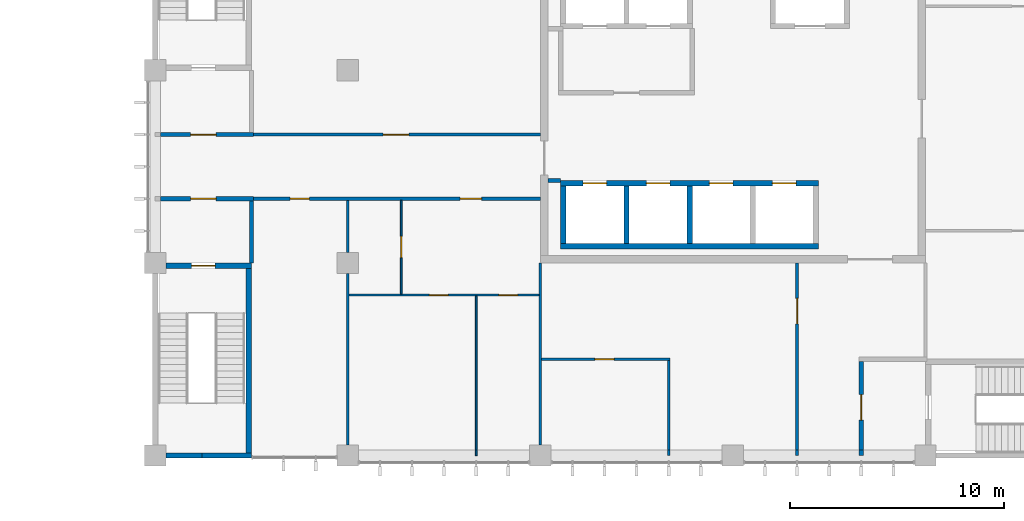
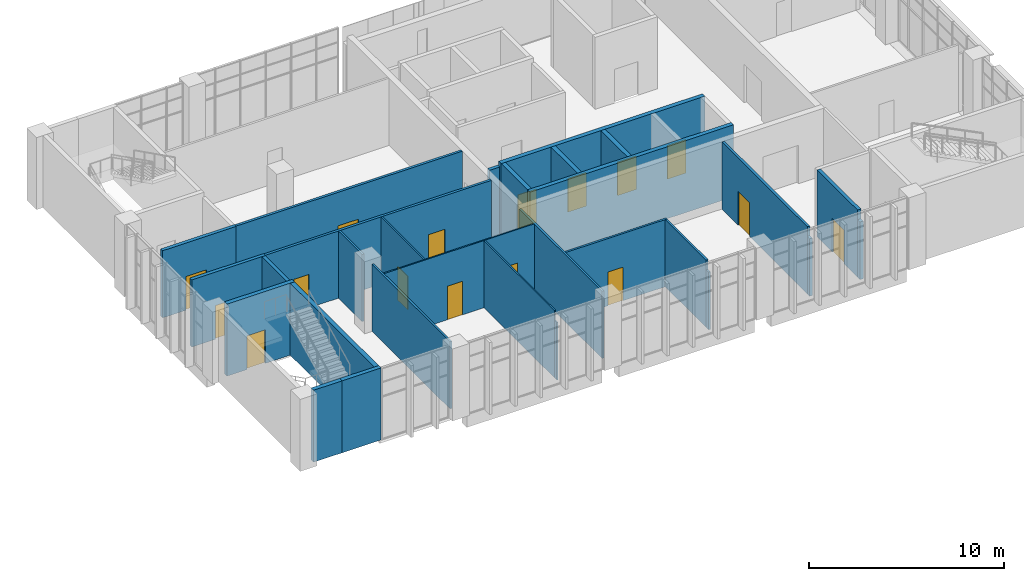
# One storey, part 64 of 88: 29 walls, 16 doors, 16 openings.
"""IFC4 building model written with IfcOpenShell, lengths in metres."""

from ifc_helpers import new_model, si_unit, direction, frame, frame_2d, origin, place, context, subcontext, project, spatial, rectangle, extrude, material, layer, layer_set, type_object, element, fill, save


model = new_model("IFC4")

# Units and contexts
model_context = context("Model", 3, precision=1e-05, world=origin(), true_north=direction((0.0, 1.0)))
body_context = subcontext(model_context, "Body", "Model", "MODEL_VIEW")
ifc_project = project(units=[si_unit("LENGTHUNIT", "METRE"), si_unit("AREAUNIT", "SQUARE_METRE"), si_unit("VOLUMEUNIT", "CUBIC_METRE"), si_unit("PLANEANGLEUNIT", "RADIAN"), si_unit("MASSUNIT", "GRAM", prefix="KILO")], contexts=[model_context])

# Site, building, storey
site_placement = place(None, origin())
site = spatial("IfcSite", under=ifc_project, at=site_placement, CompositionType="ELEMENT")
building_placement = place(site_placement, origin())
building = spatial("IfcBuilding", under=site, at=building_placement, Name="Guidao Yard Department Store", CompositionType="ELEMENT")
storey_placement = place(building_placement, frame((0.0, 0.0, 6.0)))
storey = spatial("IfcBuildingStorey", under=building, at=storey_placement, Name="L01", CompositionType="ELEMENT", Elevation=6.0)

# Wall, openings, doors
ifc_material_1 = material(Name="Gypsum Board")
ifc_layer_1 = layer(ifc_material_1, 0.14990234375)
ifc_layer_set_1 = layer_set([ifc_layer_1], Name="Corridor Partition 150 Gypsum Board EI 60")
wall_type_1 = type_object("IfcWallType", Name="Corridor Partition 150 Gypsum Board EI 60", PredefinedType="PARTITIONING", material=ifc_layer_set_1)
wall_1_placement = place(storey_placement, frame((130.39990234375, 12.0, 0.0), z_axis=(0.0, 0.0, 1.0), x_axis=(1.0, 0.0, 0.0)))
wall_1 = element("IfcWall", 1, at=wall_1_placement, inside=storey, type_object=wall_type_1, Name="pt.wall.L01.0007", PredefinedType="PARTITIONING", context=body_context, shape_type="SweptSolid", body=[
    extrude(rectangle(XDim=13.60009765625, YDim=0.14990234375, at=frame_2d((6.800048828125, 0.0))), origin(), (0.0, 0.0, 1.0), 4.199951171875),
])
opening_1_placement = place(wall_1_placement, frame((10.85009765625, 0.0, 0.0), z_axis=(0.0, 0.0, 1.0), x_axis=(-1.0, 0.0, 0.0)))
opening_1 = element("IfcOpeningElement", 2, at=opening_1_placement, cuts=wall_1, Name="Opening L01-407", PredefinedType="OPENING", context=body_context, shape_type="SweptSolid", body=[
    extrude(rectangle(XDim=1.0, YDim=2.10009765625, at=frame_2d((0.5, 1.050048828125))), frame((0.0, 0.0849609375, 0.0), z_axis=(0.0, -1.0, 0.0), x_axis=(1.0, 0.0, 0.0)), (0.0, 0.0, 1.0), 0.169921875),
])
opening_2_placement = place(wall_1_placement, frame((2.7998046875, 0.0, 0.0), z_axis=(0.0, 0.0, 1.0), x_axis=(-1.0, 0.0, 0.0)))
opening_2 = element("IfcOpeningElement", 3, at=opening_2_placement, cuts=wall_1, Name="Opening L01-411", PredefinedType="OPENING", context=body_context, shape_type="SweptSolid", body=[
    extrude(rectangle(XDim=0.89990234375, YDim=2.10009765625, at=frame_2d((0.449951171875, 1.050048828125))), frame((0.0, 0.0849609375, 0.0), z_axis=(0.0, -1.0, 0.0), x_axis=(1.0, 0.0, 0.0)), (0.0, 0.0, 1.0), 0.169921875),
])
ifc_material_2 = material(Name="Timber door leaf with Steel Q235 frame", Category="steel")
door_type_1 = type_object("IfcDoorType", Name="Door 1000 x 2100 FD30 Single Leaf", OperationType="SINGLE_SWING_LEFT", PredefinedType="DOOR", material=ifc_material_2)
door_1_placement = place(opening_1_placement, origin())
door_1 = element("IfcDoor", 4, at=door_1_placement, inside=storey, type_object=door_type_1, Name="Door L01-407", OperationType="SINGLE_SWING_LEFT", OverallHeight=2.10009765625, OverallWidth=1.0, PredefinedType="DOOR", context=body_context, shape_type="SweptSolid", body=[
    extrude(rectangle(XDim=1.0, YDim=2.10009765625, at=frame_2d((0.5, 1.050048828125))), frame((0.0, 0.02490234375, 0.0), z_axis=(0.0, -1.0, 0.0), x_axis=(1.0, 0.0, 0.0)), (0.0, 0.0, 1.0), 0.050048828125),
])
fill(opening_1, door_1)
ifc_material_3 = material(Name="Timber door leaf with Steel Q235 frame", Category="steel")
door_type_2 = type_object("IfcDoorType", Name="Door 900 x 2100 FD30 Single Leaf", OperationType="SINGLE_SWING_LEFT", PredefinedType="DOOR", material=ifc_material_3)
door_2_placement = place(opening_2_placement, origin())
door_2 = element("IfcDoor", 5, at=door_2_placement, inside=storey, type_object=door_type_2, Name="Door L01-411", OperationType="SINGLE_SWING_RIGHT", OverallHeight=2.10009765625, OverallWidth=0.89990234375, PredefinedType="DOOR", context=body_context, shape_type="SweptSolid", body=[
    extrude(rectangle(XDim=0.89990234375, YDim=2.10009765625, at=frame_2d((0.449951171875, 1.050048828125))), frame((0.0, 0.02490234375, 0.0), z_axis=(0.0, -1.0, 0.0), x_axis=(1.0, 0.0, 0.0)), (0.0, 0.0, 1.0), 0.050048828125),
])
fill(opening_2, door_2)

# Wall, opening, door
wall_2_placement = place(storey_placement, frame((130.39990234375, 15.0, 0.0), z_axis=(0.0, 0.0, 1.0), x_axis=(1.0, 0.0, 0.0)))
wall_2 = element("IfcWall", 6, at=wall_2_placement, inside=storey, type_object=wall_type_1, Name="pt.wall.L01.0010", PredefinedType="PARTITIONING", context=body_context, shape_type="SweptSolid", body=[
    extrude(rectangle(XDim=13.60009765625, YDim=0.14990234375, at=frame_2d((6.800048828125, 0.0))), origin(), (0.0, 0.0, 1.0), 4.199951171875),
])
opening_3_placement = place(wall_2_placement, frame((6.25, 0.0, 0.0)))
opening_3 = element("IfcOpeningElement", 7, at=opening_3_placement, cuts=wall_2, Name="Opening L01-412", PredefinedType="OPENING", context=body_context, shape_type="SweptSolid", body=[
    extrude(rectangle(XDim=1.199951171875, YDim=2.10009765625, at=frame_2d((0.60009765625, 1.050048828125))), frame((0.0, 0.0849609375, 0.0), z_axis=(0.0, -1.0, 0.0), x_axis=(1.0, 0.0, 0.0)), (0.0, 0.0, 1.0), 0.169921875),
])
ifc_material_4 = material(Name="Timber door leaf with Steel Q235 frame", Category="steel")
door_type_3 = type_object("IfcDoorType", Name="Door 1200 x 2100 FD30 Single Leaf", OperationType="SINGLE_SWING_LEFT", PredefinedType="DOOR", material=ifc_material_4)
door_3_placement = place(opening_3_placement, origin())
door_3 = element("IfcDoor", 8, at=door_3_placement, inside=storey, type_object=door_type_3, Name="Door L01-412", OperationType="SINGLE_SWING_RIGHT", OverallHeight=2.10009765625, OverallWidth=1.199951171875, PredefinedType="DOOR", context=body_context, shape_type="SweptSolid", body=[
    extrude(rectangle(XDim=1.199951171875, YDim=2.10009765625, at=frame_2d((0.60009765625, 1.050048828125))), frame((0.0, 0.02490234375, 0.0), z_axis=(0.0, -1.0, 0.0), x_axis=(1.0, 0.0, 0.0)), (0.0, 0.0, 1.0), 0.050048828125),
])
fill(opening_3, door_3)

# Wall
wall_3_placement = place(storey_placement, frame((156.0, 0.0, 0.0), z_axis=(0.0, 0.0, 1.0), x_axis=(0.0, 1.0, 0.0)))
element("IfcWall", 9, at=wall_3_placement, inside=storey, type_object=wall_type_1, Name="pt.wall.L01.0027", PredefinedType="PARTITIONING", context=body_context, shape_type="SweptSolid", body=[
    extrude(rectangle(XDim=0.25, YDim=0.14990234375, at=frame_2d((0.125, 0.0))), origin(), (0.0, 0.0, 1.0), 3.60009765625),
])

# Wall, opening, door
wall_4_placement = place(storey_placement, frame((156.0, 0.25, 0.0), z_axis=(0.0, 0.0, 1.0), x_axis=(0.0, 1.0, 0.0)))
wall_4 = element("IfcWall", 10, at=wall_4_placement, inside=storey, type_object=wall_type_1, Name="pt.wall.L01.0027a", PredefinedType="PARTITIONING", context=body_context, shape_type="SweptSolid", body=[
    extrude(rectangle(XDim=8.75, YDim=0.14990234375, at=frame_2d((4.375, 0.0))), origin(), (0.0, 0.0, 1.0), 4.199951171875),
])
opening_4_placement = place(wall_4_placement, frame((5.89990234375, 0.0, 0.0)))
opening_4 = element("IfcOpeningElement", 11, at=opening_4_placement, cuts=wall_4, Name="Opening L01-414", PredefinedType="OPENING", context=body_context, shape_type="SweptSolid", body=[
    extrude(rectangle(XDim=1.199951171875, YDim=2.10009765625, at=frame_2d((0.60009765625, 1.050048828125))), frame((0.0, 0.0849609375, 0.0), z_axis=(0.0, -1.0, 0.0), x_axis=(1.0, 0.0, 0.0)), (0.0, 0.0, 1.0), 0.169921875),
])
door_4_placement = place(opening_4_placement, origin())
door_4 = element("IfcDoor", 12, at=door_4_placement, inside=storey, type_object=door_type_3, Name="Door L01-414", OperationType="SINGLE_SWING_RIGHT", OverallHeight=2.10009765625, OverallWidth=1.199951171875, PredefinedType="DOOR", context=body_context, shape_type="SweptSolid", body=[
    extrude(rectangle(XDim=1.199951171875, YDim=2.10009765625, at=frame_2d((0.60009765625, 1.050048828125))), frame((0.0, 0.02490234375, 0.0), z_axis=(0.0, -1.0, 0.0), x_axis=(1.0, 0.0, 0.0)), (0.0, 0.0, 1.0), 0.050048828125),
])
fill(opening_4, door_4)

ifc_material_5 = material(Name="Gypsum Board")
ifc_layer_2 = layer(ifc_material_5, 0.1201171875)
ifc_layer_set_2 = layer_set([ifc_layer_2], Name="Partition 120 Gypsum Board EI 45")
wall_type_2 = type_object("IfcWallType", Name="Partition 120 Gypsum Board EI 45", PredefinedType="PARTITIONING", material=ifc_layer_set_2)
wall_5_placement = place(storey_placement, frame((144.06005859375, 4.5, 0.0), z_axis=(0.0, 0.0, 1.0), x_axis=(1.0, 0.0, 0.0)))
wall_5 = element("IfcWall", 13, at=wall_5_placement, inside=storey, type_object=wall_type_2, Name="pt.wall.L01.0001", PredefinedType="PARTITIONING", context=body_context, shape_type="SweptSolid", body=[
    extrude(rectangle(XDim=6.0, YDim=0.1201171875, at=frame_2d((3.0, 0.0))), origin(), (0.0, 0.0, 1.0), 4.199951171875),
])
opening_5_placement = place(wall_5_placement, frame((3.389892578125, 0.0, 0.0), z_axis=(0.0, 0.0, 1.0), x_axis=(-1.0, 0.0, 0.0)))
opening_5 = element("IfcOpeningElement", 14, at=opening_5_placement, cuts=wall_5, Name="Opening L01-415", PredefinedType="OPENING", context=body_context, shape_type="SweptSolid", body=[
    extrude(rectangle(XDim=0.89990234375, YDim=2.10009765625, at=frame_2d((0.449951171875, 1.050048828125))), frame((0.0, 0.070068359375, 0.0), z_axis=(0.0, -1.0, 0.0), x_axis=(1.0, 0.0, 0.0)), (0.0, 0.0, 1.0), 0.14013671875),
])
ifc_material_6 = material(Name="Timber door leaf with Steel Q235 frame", Category="steel")
door_type_4 = type_object("IfcDoorType", Name="Door 900 x 2100 NOT RATED Single Leaf", OperationType="SINGLE_SWING_LEFT", PredefinedType="DOOR", material=ifc_material_6)
door_5_placement = place(opening_5_placement, origin())
door_5 = element("IfcDoor", 15, at=door_5_placement, inside=storey, type_object=door_type_4, Name="Door L01-415", OperationType="SINGLE_SWING_RIGHT", OverallHeight=2.10009765625, OverallWidth=0.89990234375, PredefinedType="DOOR", context=body_context, shape_type="SweptSolid", body=[
    extrude(rectangle(XDim=0.89990234375, YDim=2.10009765625, at=frame_2d((0.449951171875, 1.050048828125))), frame((0.0, 0.02490234375, 0.0), z_axis=(0.0, -1.0, 0.0), x_axis=(1.0, 0.0, 0.0)), (0.0, 0.0, 1.0), 0.050048828125),
])
fill(opening_5, door_5)

# Walls
wall_6_placement = place(storey_placement, frame((135.0, 0.5, 0.0), z_axis=(0.0, 0.0, 1.0), x_axis=(0.0, 1.0, 0.0)))
element("IfcWall", 16, at=wall_6_placement, inside=storey, type_object=wall_type_2, Name="pt.wall.L01.0018", PredefinedType="PARTITIONING", context=body_context, shape_type="SweptSolid", body=[
    extrude(rectangle(XDim=8.0, YDim=0.1201171875, at=frame_2d((4.0, 0.0))), origin(), (0.0, 0.0, 1.0), 4.199951171875),
])
wall_7_placement = place(storey_placement, frame((135.0, 9.5, 0.0), z_axis=(0.0, 0.0, 1.0), x_axis=(0.0, 1.0, 0.0)))
element("IfcWall", 17, at=wall_7_placement, inside=storey, type_object=wall_type_2, Name="pt.wall.L01.0019", PredefinedType="PARTITIONING", context=body_context, shape_type="SweptSolid", body=[
    extrude(rectangle(XDim=2.425048828125, YDim=0.1201171875, at=frame_2d((1.21240234375, 0.0))), origin(), (0.0, 0.0, 1.0), 4.199951171875),
])
wall_8_placement = place(storey_placement, frame((144.0, 0.5, 0.0), z_axis=(0.0, 0.0, 1.0), x_axis=(0.0, 1.0, 0.0)))
element("IfcWall", 18, at=wall_8_placement, inside=storey, type_object=wall_type_2, Name="pt.wall.L01.0022", PredefinedType="PARTITIONING", context=body_context, shape_type="SweptSolid", body=[
    extrude(rectangle(XDim=8.5, YDim=0.1201171875, at=frame_2d((4.25, 0.0))), origin(), (0.0, 0.0, 1.0), 4.199951171875),
])
wall_9_placement = place(storey_placement, frame((150.0, 0.0, 0.0), z_axis=(0.0, 0.0, 1.0), x_axis=(0.0, 1.0, 0.0)))
element("IfcWall", 19, at=wall_9_placement, inside=storey, type_object=wall_type_2, Name="pt.wall.L01.0025", PredefinedType="PARTITIONING", context=body_context, shape_type="SweptSolid", body=[
    extrude(rectangle(XDim=0.25, YDim=0.1201171875, at=frame_2d((0.125, 0.0))), origin(), (0.0, 0.0, 1.0), 3.60009765625),
])
wall_10_placement = place(storey_placement, frame((150.0, 0.25, 0.0), z_axis=(0.0, 0.0, 1.0), x_axis=(0.0, 1.0, 0.0)))
element("IfcWall", 20, at=wall_10_placement, inside=storey, type_object=wall_type_2, Name="pt.wall.L01.0025a", PredefinedType="PARTITIONING", context=body_context, shape_type="SweptSolid", body=[
    extrude(rectangle(XDim=4.18994140625, YDim=0.1201171875, at=frame_2d((2.094970703125, 0.0))), origin(), (0.0, 0.0, 1.0), 4.199951171875),
])

# Wall, openings, doors
ifc_material_7 = material(Name="Gypsum Board")
ifc_layer_3 = layer(ifc_material_7, 0.080078125)
ifc_layer_set_3 = layer_set([ifc_layer_3], Name="Sanitary Partition 80 Gypsum Board EI 45")
wall_type_3 = type_object("IfcWallType", Name="Sanitary Partition 80 Gypsum Board EI 45", PredefinedType="PARTITIONING", material=ifc_layer_set_3)
wall_11_placement = place(storey_placement, frame((135.06005859375, 7.5, 0.0), z_axis=(0.0, 0.0, 1.0), x_axis=(1.0, 0.0, 0.0)))
wall_11 = element("IfcWall", 21, at=wall_11_placement, inside=storey, type_object=wall_type_3, Name="pt.wall.L01.0003", PredefinedType="PARTITIONING", context=body_context, shape_type="SweptSolid", body=[
    extrude(rectangle(XDim=8.8798828125, YDim=0.080078125, at=frame_2d((4.43994140625, 0.0))), origin(), (0.0, 0.0, 1.0), 4.199951171875),
])
opening_6_placement = place(wall_11_placement, frame((4.639892578125, 0.0, 0.0), z_axis=(0.0, 0.0, 1.0), x_axis=(-1.0, 0.0, 0.0)))
opening_6 = element("IfcOpeningElement", 22, at=opening_6_placement, cuts=wall_11, Name="Opening L01-409", PredefinedType="OPENING", context=body_context, shape_type="SweptSolid", body=[
    extrude(rectangle(XDim=0.89990234375, YDim=2.10009765625, at=frame_2d((0.449951171875, 1.050048828125))), frame((0.0, 0.050048828125, 0.0), z_axis=(0.0, -1.0, 0.0), x_axis=(1.0, 0.0, 0.0)), (0.0, 0.0, 1.0), 0.10009765625),
])
opening_7_placement = place(wall_11_placement, frame((7.889892578125, 0.0, 0.0), z_axis=(0.0, 0.0, 1.0), x_axis=(-1.0, 0.0, 0.0)))
opening_7 = element("IfcOpeningElement", 23, at=opening_7_placement, cuts=wall_11, Name="Opening L01-410", PredefinedType="OPENING", context=body_context, shape_type="SweptSolid", body=[
    extrude(rectangle(XDim=0.89990234375, YDim=2.10009765625, at=frame_2d((0.449951171875, 1.050048828125))), frame((0.0, 0.050048828125, 0.0), z_axis=(0.0, -1.0, 0.0), x_axis=(1.0, 0.0, 0.0)), (0.0, 0.0, 1.0), 0.10009765625),
])
door_6_placement = place(opening_6_placement, origin())
door_6 = element("IfcDoor", 24, at=door_6_placement, inside=storey, type_object=door_type_4, Name="Door L01-409", OperationType="SINGLE_SWING_RIGHT", OverallHeight=2.10009765625, OverallWidth=0.89990234375, PredefinedType="DOOR", context=body_context, shape_type="SweptSolid", body=[
    extrude(rectangle(XDim=0.89990234375, YDim=2.10009765625, at=frame_2d((0.449951171875, 1.050048828125))), frame((0.0, 0.02490234375, 0.0), z_axis=(0.0, -1.0, 0.0), x_axis=(1.0, 0.0, 0.0)), (0.0, 0.0, 1.0), 0.050048828125),
])
fill(opening_6, door_6)
door_7_placement = place(opening_7_placement, origin())
door_7 = element("IfcDoor", 25, at=door_7_placement, inside=storey, type_object=door_type_4, Name="Door L01-410", OperationType="SINGLE_SWING_LEFT", OverallHeight=2.10009765625, OverallWidth=0.89990234375, PredefinedType="DOOR", context=body_context, shape_type="SweptSolid", body=[
    extrude(rectangle(XDim=0.89990234375, YDim=2.10009765625, at=frame_2d((0.449951171875, 1.050048828125))), frame((0.0, 0.02490234375, 0.0), z_axis=(0.0, -1.0, 0.0), x_axis=(1.0, 0.0, 0.0)), (0.0, 0.0, 1.0), 0.050048828125),
])
fill(opening_7, door_7)

# Wall, opening, door
wall_12_placement = place(storey_placement, frame((137.5, 7.5400390625, 0.0), z_axis=(0.0, 0.0, 1.0), x_axis=(0.0, 1.0, 0.0)))
wall_12 = element("IfcWall", 26, at=wall_12_placement, inside=storey, type_object=wall_type_3, Name="pt.wall.L01.0020", PredefinedType="PARTITIONING", context=body_context, shape_type="SweptSolid", body=[
    extrude(rectangle(XDim=4.385009765625, YDim=0.080078125, at=frame_2d((2.1923828125, 0.0))), origin(), (0.0, 0.0, 1.0), 4.199951171875),
])
opening_8_placement = place(wall_12_placement, frame((1.7099609375, 0.0, 0.0)))
opening_8 = element("IfcOpeningElement", 27, at=opening_8_placement, cuts=wall_12, Name="Opening L01-408", PredefinedType="OPENING", context=body_context, shape_type="SweptSolid", body=[
    extrude(rectangle(XDim=1.0, YDim=2.10009765625, at=frame_2d((0.5, 1.050048828125))), frame((0.0, 0.050048828125, 0.0), z_axis=(0.0, -1.0, 0.0), x_axis=(1.0, 0.0, 0.0)), (0.0, 0.0, 1.0), 0.10009765625),
])
ifc_material_8 = material(Name="Timber door leaf with Steel Q235 frame", Category="steel")
door_type_5 = type_object("IfcDoorType", Name="Door 1000 x 2100 NOT RATED Single Leaf", OperationType="SINGLE_SWING_LEFT", PredefinedType="DOOR", material=ifc_material_8)
door_8_placement = place(opening_8_placement, origin())
door_8 = element("IfcDoor", 28, at=door_8_placement, inside=storey, type_object=door_type_5, Name="Door L01-408", OperationType="SINGLE_SWING_RIGHT", OverallHeight=2.10009765625, OverallWidth=1.0, PredefinedType="DOOR", context=body_context, shape_type="SweptSolid", body=[
    extrude(rectangle(XDim=1.0, YDim=2.10009765625, at=frame_2d((0.5, 1.050048828125))), frame((0.0, 0.02490234375, 0.0), z_axis=(0.0, -1.0, 0.0), x_axis=(1.0, 0.0, 0.0)), (0.0, 0.0, 1.0), 0.050048828125),
])
fill(opening_8, door_8)

# Walls
wall_13_placement = place(storey_placement, frame((141.0, 0.0, 0.0), z_axis=(0.0, 0.0, 1.0), x_axis=(0.0, 1.0, 0.0)))
element("IfcWall", 29, at=wall_13_placement, inside=storey, type_object=wall_type_3, Name="pt.wall.L01.0021", PredefinedType="PARTITIONING", context=body_context, shape_type="SweptSolid", body=[
    extrude(rectangle(XDim=0.25, YDim=0.080078125, at=frame_2d((0.125, 0.0))), origin(), (0.0, 0.0, 1.0), 3.60009765625),
])
wall_14_placement = place(storey_placement, frame((141.0, 0.25, 0.0), z_axis=(0.0, 0.0, 1.0), x_axis=(0.0, 1.0, 0.0)))
element("IfcWall", 30, at=wall_14_placement, inside=storey, type_object=wall_type_3, Name="pt.wall.L01.0021a", PredefinedType="PARTITIONING", context=body_context, shape_type="SweptSolid", body=[
    extrude(rectangle(XDim=7.2099609375, YDim=0.080078125, at=frame_2d((3.60498046875, 0.0))), origin(), (0.0, 0.0, 1.0), 4.199951171875),
])

# Wall, opening, door
ifc_material_9 = material(Name="Autoclaved aerated concrete block A3.5 B06", Category="concrete")
ifc_layer_4 = layer(ifc_material_9, 0.199951171875)
ifc_layer_set_4 = layer_set([ifc_layer_4], Name="Shaft Wall 200 Autoclaved Block EI 120")
wall_type_4 = type_object("IfcWallType", Name="Shaft Wall 200 Autoclaved Block EI 120", PredefinedType="PARTITIONING", material=ifc_layer_set_4)
wall_15_placement = place(storey_placement, frame((126.25, 12.0, 0.0), z_axis=(0.0, 0.0, 1.0), x_axis=(1.0, 0.0, 0.0)))
wall_15 = element("IfcWall", 31, at=wall_15_placement, inside=storey, type_object=wall_type_4, Name="pt.wall.L01.0006a", PredefinedType="PARTITIONING", context=body_context, shape_type="SweptSolid", body=[
    extrude(rectangle(XDim=4.35009765625, YDim=0.199951171875, at=frame_2d((2.175048828125, 0.0))), origin(), (0.0, 0.0, 1.0), 4.199951171875),
])
opening_9_placement = place(wall_15_placement, frame((2.599853515625, 0.0, 0.0), z_axis=(0.0, 0.0, 1.0), x_axis=(-1.0, 0.0, 0.0)))
opening_9 = element("IfcOpeningElement", 32, at=opening_9_placement, cuts=wall_15, Name="Opening L01-401", PredefinedType="OPENING", context=body_context, shape_type="SweptSolid", body=[
    extrude(rectangle(XDim=1.199951171875, YDim=2.10009765625, at=frame_2d((0.60009765625, 1.050048828125))), frame((0.0, 0.10986328125, 0.0), z_axis=(0.0, -1.0, 0.0), x_axis=(1.0, 0.0, 0.0)), (0.0, 0.0, 1.0), 0.219970703125),
])
ifc_material_10 = material(Name="Timber door leaf with Steel Q235 frame", Category="steel")
door_type_6 = type_object("IfcDoorType", Name="Door 1200 x 2100 FD60 Single Leaf", OperationType="SINGLE_SWING_LEFT", PredefinedType="DOOR", material=ifc_material_10)
door_9_placement = place(opening_9_placement, origin())
door_9 = element("IfcDoor", 33, at=door_9_placement, inside=storey, type_object=door_type_6, Name="Door L01-401", OperationType="SINGLE_SWING_RIGHT", OverallHeight=2.10009765625, OverallWidth=1.199951171875, PredefinedType="DOOR", context=body_context, shape_type="SweptSolid", body=[
    extrude(rectangle(XDim=1.199951171875, YDim=2.10009765625, at=frame_2d((0.60009765625, 1.050048828125))), frame((0.0, 0.02490234375, 0.0), z_axis=(0.0, -1.0, 0.0), x_axis=(1.0, 0.0, 0.0)), (0.0, 0.0, 1.0), 0.050048828125),
])
fill(opening_9, door_9)

# Wall
wall_16_placement = place(storey_placement, frame((144.35009765625, 12.85009765625, 0.0), z_axis=(0.0, 0.0, 1.0), x_axis=(1.0, 0.0, 0.0)))
element("IfcWall", 34, at=wall_16_placement, inside=storey, type_object=wall_type_4, Name="pt.wall.L01.0008", PredefinedType="PARTITIONING", context=body_context, shape_type="SweptSolid", body=[
    extrude(rectangle(XDim=0.599853515625, YDim=0.199951171875, at=frame_2d((0.2998046875, 0.0))), origin(), (0.0, 0.0, 1.0), 4.199951171875),
])

# Wall, opening, door
wall_17_placement = place(storey_placement, frame((126.25, 15.0, 0.0), z_axis=(0.0, 0.0, 1.0), x_axis=(1.0, 0.0, 0.0)))
wall_17 = element("IfcWall", 35, at=wall_17_placement, inside=storey, type_object=wall_type_4, Name="pt.wall.L01.0009a", PredefinedType="PARTITIONING", context=body_context, shape_type="SweptSolid", body=[
    extrude(rectangle(XDim=4.35009765625, YDim=0.199951171875, at=frame_2d((2.175048828125, 0.0))), origin(), (0.0, 0.0, 1.0), 4.199951171875),
])
opening_10_placement = place(wall_17_placement, frame((1.39990234375, 0.0, 0.0)))
opening_10 = element("IfcOpeningElement", 36, at=opening_10_placement, cuts=wall_17, Name="Opening L01-403", PredefinedType="OPENING", context=body_context, shape_type="SweptSolid", body=[
    extrude(rectangle(XDim=1.199951171875, YDim=2.10009765625, at=frame_2d((0.60009765625, 1.050048828125))), frame((0.0, 0.10986328125, 0.0), z_axis=(0.0, -1.0, 0.0), x_axis=(1.0, 0.0, 0.0)), (0.0, 0.0, 1.0), 0.219970703125),
])
door_10_placement = place(opening_10_placement, origin())
door_10 = element("IfcDoor", 37, at=door_10_placement, inside=storey, type_object=door_type_6, Name="Door L01-403", OperationType="SINGLE_SWING_LEFT", OverallHeight=2.10009765625, OverallWidth=1.199951171875, PredefinedType="DOOR", context=body_context, shape_type="SweptSolid", body=[
    extrude(rectangle(XDim=1.199951171875, YDim=2.10009765625, at=frame_2d((0.60009765625, 1.050048828125))), frame((0.0, 0.02490234375, 0.0), z_axis=(0.0, -1.0, 0.0), x_axis=(1.0, 0.0, 0.0)), (0.0, 0.0, 1.0), 0.050048828125),
])
fill(opening_10, door_10)

# Walls
wall_18_placement = place(storey_placement, frame((130.5, 9.0, 0.0), z_axis=(0.0, 0.0, 1.0), x_axis=(0.0, 1.0, 0.0)))
element("IfcWall", 38, at=wall_18_placement, inside=storey, type_object=wall_type_4, Name="pt.wall.L01.0016", PredefinedType="PARTITIONING", context=body_context, shape_type="SweptSolid", body=[
    extrude(rectangle(XDim=2.89990234375, YDim=0.199951171875, at=frame_2d((1.449951171875, 0.0))), origin(), (0.0, 0.0, 1.0), 4.199951171875),
])
wall_19_placement = place(storey_placement, frame((159.0, 0.0, 0.0), z_axis=(0.0, 0.0, 1.0), x_axis=(0.0, 1.0, 0.0)))
element("IfcWall", 39, at=wall_19_placement, inside=storey, type_object=wall_type_4, Name="pt.wall.L01.0028", PredefinedType="PARTITIONING", context=body_context, shape_type="SweptSolid", body=[
    extrude(rectangle(XDim=0.25, YDim=0.199951171875, at=frame_2d((0.125, 0.0))), origin(), (0.0, 0.0, 1.0), 3.60009765625),
])

# Wall, opening, door
wall_20_placement = place(storey_placement, frame((159.0, 0.25, 0.0), z_axis=(0.0, 0.0, 1.0), x_axis=(0.0, 1.0, 0.0)))
wall_20 = element("IfcWall", 40, at=wall_20_placement, inside=storey, type_object=wall_type_4, Name="pt.wall.L01.0028a", PredefinedType="PARTITIONING", context=body_context, shape_type="SweptSolid", body=[
    extrude(rectangle(XDim=4.14990234375, YDim=0.199951171875, at=frame_2d((2.074951171875, 0.0))), origin(), (0.0, 0.0, 1.0), 4.199951171875),
])
opening_11_placement = place(wall_20_placement, frame((2.599853515625, 0.0, 0.0), z_axis=(0.0, 0.0, 1.0), x_axis=(-1.0, 0.0, 0.0)))
opening_11 = element("IfcOpeningElement", 41, at=opening_11_placement, cuts=wall_20, Name="Opening L01-402", PredefinedType="OPENING", context=body_context, shape_type="SweptSolid", body=[
    extrude(rectangle(XDim=1.199951171875, YDim=2.10009765625, at=frame_2d((0.60009765625, 1.050048828125))), frame((0.0, 0.10986328125, 0.0), z_axis=(0.0, -1.0, 0.0), x_axis=(1.0, 0.0, 0.0)), (0.0, 0.0, 1.0), 0.219970703125),
])
door_11_placement = place(opening_11_placement, origin())
door_11 = element("IfcDoor", 42, at=door_11_placement, inside=storey, type_object=door_type_6, Name="Door L01-402", OperationType="SINGLE_SWING_RIGHT", OverallHeight=2.10009765625, OverallWidth=1.199951171875, PredefinedType="DOOR", context=body_context, shape_type="SweptSolid", body=[
    extrude(rectangle(XDim=1.199951171875, YDim=2.10009765625, at=frame_2d((0.60009765625, 1.050048828125))), frame((0.0, 0.02490234375, 0.0), z_axis=(0.0, -1.0, 0.0), x_axis=(1.0, 0.0, 0.0)), (0.0, 0.0, 1.0), 0.050048828125),
])
fill(opening_11, door_11)

# Walls
ifc_material_11 = material(Name="Concrete C40", Category="concrete")
ifc_layer_5 = layer(ifc_material_11, 0.25)
ifc_layer_set_5 = layer_set([ifc_layer_5], Name="Wall RC 250 C40 stair and shaft")
wall_type_5 = type_object("IfcWallType", Name="Wall RC 250 C40 stair and shaft", PredefinedType="SHEAR", material=ifc_layer_set_5)
wall_21_placement = place(storey_placement, frame((126.5, 0.0, 0.0), z_axis=(0.0, 0.0, 1.0), x_axis=(1.0, 0.0, 0.0)))
element("IfcWall", 43, at=wall_21_placement, inside=storey, type_object=wall_type_5, Name="Stair wall SO1", PredefinedType="SHEAR", context=body_context, shape_type="SweptSolid", body=[
    extrude(rectangle(XDim=1.68798828125, YDim=0.25, at=frame_2d((0.843994140625, 0.0))), origin(), (0.0, 0.0, 1.0), 4.5),
])
wall_22_placement = place(storey_placement, frame((128.18798828125, 0.0, 0.0), z_axis=(0.0, 0.0, 1.0), x_axis=(1.0, 0.0, 0.0)))
element("IfcWall", 44, at=wall_22_placement, inside=storey, type_object=wall_type_5, Name="Stair wall SO1", PredefinedType="SHEAR", context=body_context, shape_type="SweptSolid", body=[
    extrude(rectangle(XDim=2.31201171875, YDim=0.25, at=frame_2d((1.156005859375, 0.0))), origin(), (0.0, 0.0, 1.0), 4.5),
])

# Wall, opening, door
wall_23_placement = place(storey_placement, frame((126.5, 8.875, 0.0), z_axis=(0.0, 0.0, 1.0), x_axis=(1.0, 0.0, 0.0)))
wall_23 = element("IfcWall", 45, at=wall_23_placement, inside=storey, type_object=wall_type_5, Name="Stair wall SO1", PredefinedType="SHEAR", context=body_context, shape_type="SweptSolid", body=[
    extrude(rectangle(XDim=4.0, YDim=0.25, at=frame_2d((2.0, 0.0))), origin(), (0.0, 0.0, 1.0), 4.5),
])
opening_12_placement = place(wall_23_placement, frame((2.300048828125, 0.0, 0.0), z_axis=(0.0, 0.0, 1.0), x_axis=(-1.0, 0.0, 0.0)))
opening_12 = element("IfcOpeningElement", 46, at=opening_12_placement, cuts=wall_23, Name="Opening L01-815", PredefinedType="OPENING", context=body_context, shape_type="SweptSolid", body=[
    extrude(rectangle(XDim=1.10009765625, YDim=2.10009765625, at=frame_2d((0.550048828125, 1.050048828125))), frame((0.0, 0.135009765625, 0.0), z_axis=(0.0, -1.0, 0.0), x_axis=(1.0, 0.0, 0.0)), (0.0, 0.0, 1.0), 0.27001953125),
])
ifc_material_12 = material(Name="Steel Q235", Category="steel")
door_type_7 = type_object("IfcDoorType", Name="Door fire-resisting 1100 x 2100 FD60", OperationType="SINGLE_SWING_LEFT", PredefinedType="DOOR", material=ifc_material_12)
door_12_placement = place(opening_12_placement, origin())
door_12 = element("IfcDoor", 47, at=door_12_placement, inside=storey, type_object=door_type_7, Name="Stair O1 door L01", OperationType="SINGLE_SWING_RIGHT", OverallHeight=2.10009765625, OverallWidth=1.10009765625, PredefinedType="DOOR", context=body_context, shape_type="SweptSolid", body=[
    extrude(rectangle(XDim=1.10009765625, YDim=2.10009765625, at=frame_2d((0.550048828125, 1.050048828125))), frame((0.0, 0.02490234375, 0.0), z_axis=(0.0, -1.0, 0.0), x_axis=(1.0, 0.0, 0.0)), (0.0, 0.0, 1.0), 0.050048828125),
])
fill(opening_12, door_12)

# Wall
wall_24_placement = place(storey_placement, frame((130.375, 0.125, 0.0), z_axis=(0.0, 0.0, 1.0), x_axis=(0.0, 1.0, 0.0)))
element("IfcWall", 48, at=wall_24_placement, inside=storey, type_object=wall_type_5, Name="Stair wall SO1", PredefinedType="SHEAR", context=body_context, shape_type="SweptSolid", body=[
    extrude(rectangle(XDim=8.625, YDim=0.25, at=frame_2d((4.3125, 0.0))), origin(), (0.0, 0.0, 1.0), 4.5),
])

# Wall, openings, doors
wall_25_placement = place(storey_placement, frame((144.949951171875, 12.72509765625, 0.0), z_axis=(0.0, 0.0, 1.0), x_axis=(1.0, 0.0, 0.0)))
wall_25 = element("IfcWall", 49, at=wall_25_placement, inside=storey, type_object=wall_type_5, Name="Lift shaft wall OL1 to OL4", PredefinedType="SHEAR", context=body_context, shape_type="SweptSolid", body=[
    extrude(rectangle(XDim=12.050048828125, YDim=0.25, at=frame_2d((6.02490234375, 0.0))), origin(), (0.0, 0.0, 1.0), 4.5),
])
opening_13_placement = place(wall_25_placement, frame((1.050048828125, 0.0, 0.0)))
opening_13 = element("IfcOpeningElement", 50, at=opening_13_placement, cuts=wall_25, Name="Opening LD-OL1-L01", PredefinedType="OPENING", context=body_context, shape_type="SweptSolid", body=[
    extrude(rectangle(XDim=1.10009765625, YDim=2.10009765625, at=frame_2d((0.550048828125, 1.050048828125))), frame((0.0, 0.135009765625, 0.0), z_axis=(0.0, -1.0, 0.0), x_axis=(1.0, 0.0, 0.0)), (0.0, 0.0, 1.0), 0.27001953125),
])
opening_14_placement = place(wall_25_placement, frame((4.0, 0.0, 0.0)))
opening_14 = element("IfcOpeningElement", 51, at=opening_14_placement, cuts=wall_25, Name="Opening LD-OL2-L01", PredefinedType="OPENING", context=body_context, shape_type="SweptSolid", body=[
    extrude(rectangle(XDim=1.10009765625, YDim=2.10009765625, at=frame_2d((0.550048828125, 1.050048828125))), frame((0.0, 0.135009765625, 0.0), z_axis=(0.0, -1.0, 0.0), x_axis=(1.0, 0.0, 0.0)), (0.0, 0.0, 1.0), 0.27001953125),
])
opening_15_placement = place(wall_25_placement, frame((6.949951171875, 0.0, 0.0)))
opening_15 = element("IfcOpeningElement", 52, at=opening_15_placement, cuts=wall_25, Name="Opening LD-OL3-L01", PredefinedType="OPENING", context=body_context, shape_type="SweptSolid", body=[
    extrude(rectangle(XDim=1.10009765625, YDim=2.10009765625, at=frame_2d((0.550048828125, 1.050048828125))), frame((0.0, 0.135009765625, 0.0), z_axis=(0.0, -1.0, 0.0), x_axis=(1.0, 0.0, 0.0)), (0.0, 0.0, 1.0), 0.27001953125),
])
opening_16_placement = place(wall_25_placement, frame((9.89990234375, 0.0, 0.0)))
opening_16 = element("IfcOpeningElement", 53, at=opening_16_placement, cuts=wall_25, Name="Opening LD-OL4-L01", PredefinedType="OPENING", context=body_context, shape_type="SweptSolid", body=[
    extrude(rectangle(XDim=1.10009765625, YDim=2.10009765625, at=frame_2d((0.550048828125, 1.050048828125))), frame((0.0, 0.135009765625, 0.0), z_axis=(0.0, -1.0, 0.0), x_axis=(1.0, 0.0, 0.0)), (0.0, 0.0, 1.0), 0.27001953125),
])
ifc_material_13 = material(Name="Stainless steel 06Cr19Ni10", Category="steel")
door_type_8 = type_object("IfcDoorType", Name="Lift landing door fire-resisting sliding 1100 x 2100", OperationType="DOUBLE_DOOR_SLIDING", PredefinedType="DOOR", material=ifc_material_13)
door_13_placement = place(opening_13_placement, origin())
door_13 = element("IfcDoor", 54, at=door_13_placement, inside=storey, type_object=door_type_8, Name="Lift landing door OL1 L01", OperationType="DOUBLE_DOOR_SLIDING", OverallHeight=2.10009765625, OverallWidth=1.10009765625, PredefinedType="DOOR", context=body_context, shape_type="SweptSolid", body=[
    extrude(rectangle(XDim=1.10009765625, YDim=2.10009765625, at=frame_2d((0.550048828125, 1.050048828125))), frame((0.0, 0.02490234375, 0.0), z_axis=(0.0, -1.0, 0.0), x_axis=(1.0, 0.0, 0.0)), (0.0, 0.0, 1.0), 0.050048828125),
])
fill(opening_13, door_13)
door_14_placement = place(opening_14_placement, origin())
door_14 = element("IfcDoor", 55, at=door_14_placement, inside=storey, type_object=door_type_8, Name="Lift landing door OL2 L01", OperationType="DOUBLE_DOOR_SLIDING", OverallHeight=2.10009765625, OverallWidth=1.10009765625, PredefinedType="DOOR", context=body_context, shape_type="SweptSolid", body=[
    extrude(rectangle(XDim=1.10009765625, YDim=2.10009765625, at=frame_2d((0.550048828125, 1.050048828125))), frame((0.0, 0.02490234375, 0.0), z_axis=(0.0, -1.0, 0.0), x_axis=(1.0, 0.0, 0.0)), (0.0, 0.0, 1.0), 0.050048828125),
])
fill(opening_14, door_14)
door_15_placement = place(opening_15_placement, origin())
door_15 = element("IfcDoor", 56, at=door_15_placement, inside=storey, type_object=door_type_8, Name="Lift landing door OL3 L01", OperationType="DOUBLE_DOOR_SLIDING", OverallHeight=2.10009765625, OverallWidth=1.10009765625, PredefinedType="DOOR", context=body_context, shape_type="SweptSolid", body=[
    extrude(rectangle(XDim=1.10009765625, YDim=2.10009765625, at=frame_2d((0.550048828125, 1.050048828125))), frame((0.0, 0.02490234375, 0.0), z_axis=(0.0, -1.0, 0.0), x_axis=(1.0, 0.0, 0.0)), (0.0, 0.0, 1.0), 0.050048828125),
])
fill(opening_15, door_15)
door_16_placement = place(opening_16_placement, origin())
door_16 = element("IfcDoor", 57, at=door_16_placement, inside=storey, type_object=door_type_8, Name="Lift landing door OL4 L01", OperationType="DOUBLE_DOOR_SLIDING", OverallHeight=2.10009765625, OverallWidth=1.10009765625, PredefinedType="DOOR", context=body_context, shape_type="SweptSolid", body=[
    extrude(rectangle(XDim=1.10009765625, YDim=2.10009765625, at=frame_2d((0.550048828125, 1.050048828125))), frame((0.0, 0.02490234375, 0.0), z_axis=(0.0, -1.0, 0.0), x_axis=(1.0, 0.0, 0.0)), (0.0, 0.0, 1.0), 0.050048828125),
])
fill(opening_16, door_16)

# Walls
wall_26_placement = place(storey_placement, frame((144.949951171875, 9.77490234375, 0.0), z_axis=(0.0, 0.0, 1.0), x_axis=(1.0, 0.0, 0.0)))
element("IfcWall", 58, at=wall_26_placement, inside=storey, type_object=wall_type_5, Name="Lift shaft wall OL1 to OL4", PredefinedType="SHEAR", context=body_context, shape_type="SweptSolid", body=[
    extrude(rectangle(XDim=12.050048828125, YDim=0.25, at=frame_2d((6.02490234375, 0.0))), origin(), (0.0, 0.0, 1.0), 4.5),
])
for number, where, z_axis, x_axis, name in (
    (59, (145.074951171875, 9.89990234375, 0.0), (0.0, 0.0, 1.0), (0.0, 1.0, 0.0), "Lift shaft wall OL1 to OL4"),
    (60, (148.02490234375, 9.89990234375, 0.0), (0.0, 0.0, 1.0), (0.0, 1.0, 0.0), "Lift shaft wall OL1 to OL4"),
    (61, (150.97509765625, 9.89990234375, 0.0), (0.0, 0.0, 1.0), (0.0, 1.0, 0.0), "Lift shaft wall OL1 to OL4"),
):
    element("IfcWall", number, at=place(storey_placement, frame(where, z_axis=z_axis, x_axis=x_axis)), inside=storey, type_object=wall_type_5, Name=name, PredefinedType="SHEAR", context=body_context, shape_type="SweptSolid", body=[
        extrude(rectangle(XDim=2.7001953125, YDim=0.25, at=frame_2d((1.35009765625, 0.0))), origin(), (0.0, 0.0, 1.0), 4.5),
    ])

save(model, "model.ifc")
